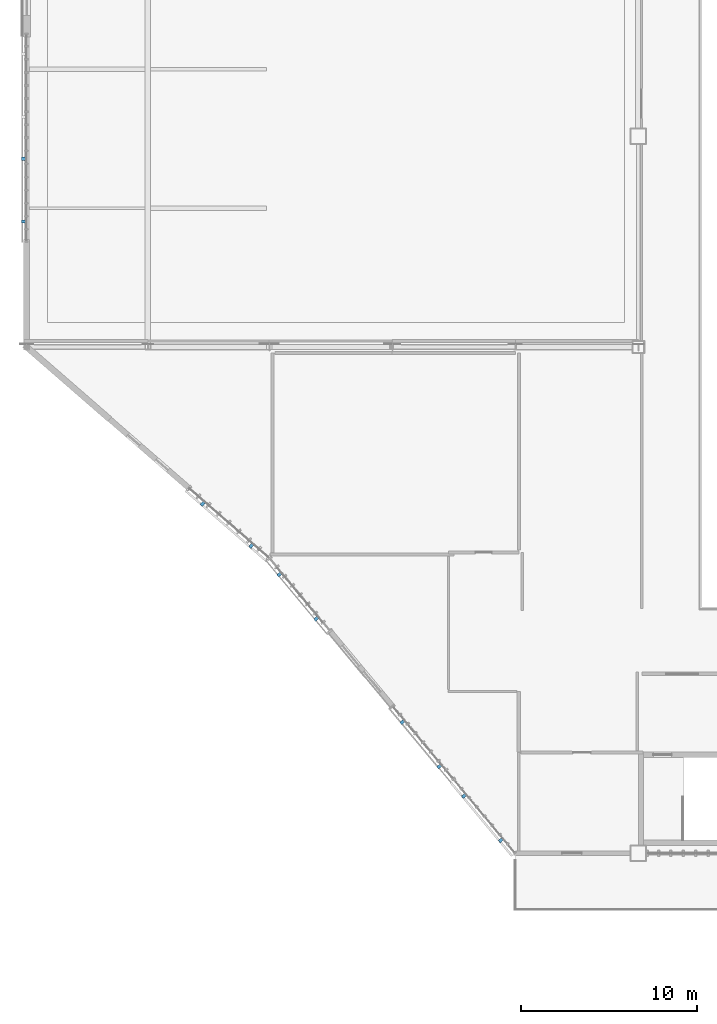
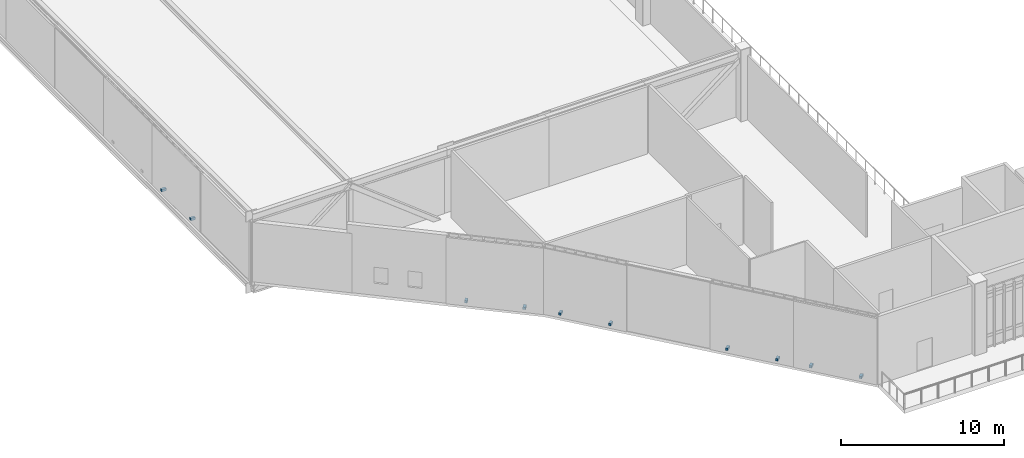
# One storey, part 123 of 135: 10 discrete accessories.
"""IFC4 building model written with IfcOpenShell, lengths in metres."""

import ifcopenshell
import ifcopenshell.guid

model = None  # the IFC model being written
_history = None  # IfcOwnerHistory: only IFC2X3 demands one
_inside = {}  # id of a spatial element -> (the spatial element, [elements in it])
_under = {}  # id of a project, library or spatial element -> (it, [spatial elements below it])
_declared = {}  # id of a project -> (the project, [libraries it declares])
_typed = {}  # id of a type object -> (the type object, [elements of that type])
_made_of = {}  # id of a material, layer set ... -> (it, [elements and type objects made of it])


def new_model(schema):
    """Start an empty IFC model of exactly this schema.

    Asked for "IFC4X3", IfcOpenShell would pick the latest addendum, in which some entities
    have other attributes; the version numbers below select the first issue.
    IFC2X3 requires an IfcOwnerHistory on every rooted entity: one is made here for all.
    """
    global model, _history
    if schema == "IFC4X3":
        model = ifcopenshell.file(schema_version=(4, 3, 0, 0))
    else:
        model = ifcopenshell.file(schema=schema)
    _inside.clear()
    _under.clear()
    _declared.clear()
    _typed.clear()
    _made_of.clear()
    _history = None
    if model.schema == "IFC2X3":
        org = make("IfcOrganization", Name="unknown")
        user = make(
            "IfcPersonAndOrganization",
            ThePerson=make("IfcPerson", FamilyName="unknown"),
            TheOrganization=org,
        )
        app = make(
            "IfcApplication",
            ApplicationDeveloper=org,
            Version="unknown",
            ApplicationFullName="unknown",
            ApplicationIdentifier="unknown",
        )
        _history = make(
            "IfcOwnerHistory",
            OwningUser=user,
            OwningApplication=app,
            ChangeAction="ADDED",
            CreationDate=0,
        )
    return model


def make(cls, **values):
    """One entity of the class cls with the attributes given. An attribute that is None is left unset."""
    return model.create_entity(
        cls, **{name: value for name, value in values.items() if value is not None}
    )


def rooted(cls, **values):
    """An entity with a GlobalId (a new one), such as an element, a storey or a relation."""
    return make(cls, GlobalId=ifcopenshell.guid.new(), OwnerHistory=_history, **values)


def si_unit(unit_type, name, prefix=None):
    """IfcSIUnit, for example si_unit("LENGTHUNIT", "METRE", prefix="MILLI")."""
    return make("IfcSIUnit", UnitType=unit_type, Prefix=prefix, Name=name)


def assignment(units):
    """IfcUnitAssignment: the units of a project."""
    return None if units is None else make("IfcUnitAssignment", Units=units)


def point(xyz):
    """IfcCartesianPoint."""
    return None if xyz is None else make("IfcCartesianPoint", Coordinates=xyz)


def direction(xyz):
    """IfcDirection."""
    return None if xyz is None else make("IfcDirection", DirectionRatios=xyz)


def frame(location, z_axis=None, x_axis=None):
    """IfcAxis2Placement3D, a coordinate frame: its origin and axes. An axis left out is left unset."""
    return make(
        "IfcAxis2Placement3D",
        Location=point(location),
        Axis=direction(z_axis),
        RefDirection=direction(x_axis),
    )


def frame_2d(location, x_axis=None):
    """IfcAxis2Placement2D, a coordinate frame in the plane: its origin and x axis."""
    return make(
        "IfcAxis2Placement2D", Location=point(location), RefDirection=direction(x_axis)
    )


def origin():
    """The frame at (0, 0, 0) with its axes left unset."""
    return frame((0.0, 0.0, 0.0))


def origin_2d():
    """The frame at (0, 0) in the plane with its x axis left unset."""
    return frame_2d((0.0, 0.0))


def place(relative_to, where):
    """IfcLocalPlacement: puts the frame where relative to a parent placement (None: the world)."""
    return make(
        "IfcLocalPlacement", PlacementRelTo=relative_to, RelativePlacement=where
    )


def context(
    kind, dimensions, precision=None, world=None, true_north=None, identifier=None
):
    """IfcGeometricRepresentationContext, for example the 3D "Model" context."""
    return make(
        "IfcGeometricRepresentationContext",
        ContextIdentifier=identifier,
        ContextType=kind,
        CoordinateSpaceDimension=dimensions,
        Precision=precision,
        WorldCoordinateSystem=world,
        TrueNorth=true_north,
    )


def subcontext(parent, identifier, kind, view, scale=None):
    """IfcGeometricRepresentationSubContext, for example "Body" below "Model"."""
    return make(
        "IfcGeometricRepresentationSubContext",
        ContextIdentifier=identifier,
        ContextType=kind,
        ParentContext=parent,
        TargetScale=scale,
        TargetView=view,
    )


def project(units=None, contexts=None):
    """IfcProject with its units and contexts."""
    return rooted(
        "IfcProject",
        Name="project",
        RepresentationContexts=contexts,
        UnitsInContext=assignment(units),
    )


def spatial(cls, under=None, at=None, **own):
    """A site, building, storey or space (cls), placed at a placement, below another one or the project."""
    s = rooted(cls, ObjectPlacement=at, **own)
    if under is not None:
        _under.setdefault(under.id(), (under, []))[1].append(s)
    return s


def profile(cls, at=None, kind="AREA", **sizes):
    """A parametric profile (cls). Its sizes go by their IFC names, for example OverallWidth=200.0."""
    return make(cls, ProfileType=kind, Position=at, **sizes)


def rectangle(**sizes):
    """IfcRectangleProfileDef."""
    return profile("IfcRectangleProfileDef", **sizes)


def extrude(swept, where, along, depth):
    """IfcExtrudedAreaSolid: the profile swept, set in the frame where, extruded along a direction by depth."""
    return make(
        "IfcExtrudedAreaSolid",
        SweptArea=swept,
        Position=where,
        ExtrudedDirection=direction(along),
        Depth=depth,
    )


def shape(context_of_items, identifier, shape_type, items):
    """IfcShapeRepresentation: the items that make up one representation, for example the "Body"."""
    return make(
        "IfcShapeRepresentation",
        ContextOfItems=context_of_items,
        RepresentationIdentifier=identifier,
        RepresentationType=shape_type,
        Items=items,
    )


def material(Name=None, Category=None):
    """IfcMaterial."""
    return make("IfcMaterial", Name=Name, Category=Category)


def layer(
    of_material, thickness, ventilated=None, Name=None, Category=None, Priority=None
):
    """IfcMaterialLayer: one layer of a wall or slab, of a material (None: an air gap)."""
    return make(
        "IfcMaterialLayer",
        Material=of_material,
        LayerThickness=thickness,
        IsVentilated=ventilated,
        Name=Name,
        Category=Category,
        Priority=Priority,
    )


def layer_set(layers, Name=None):
    """IfcMaterialLayerSet."""
    return make("IfcMaterialLayerSet", MaterialLayers=layers, LayerSetName=Name)


def made_of(thing, what):
    """Note that an element or type object is made of a material, layer set ...; save() writes the relation."""
    if what is not None:
        _made_of.setdefault(what.id(), (what, []))[1].append(thing)
    return thing


def type_object(cls, material=None, **own):
    """A type object (cls), such as IfcWallType, which elements share."""
    return made_of(rooted(cls, **own), material)


def element(
    cls,
    number,
    at=None,
    inside=None,
    cuts=None,
    type_object=None,
    material=None,
    context=None,
    identifier="Body",
    shape_type=None,
    held_by="IfcProductDefinitionShape",
    body=None,
    shapes=None,
    **own,
):
    """One element of the class cls, such as IfcWall. Its Tag is "e" and its number.

    at: its placement. inside: the storey or other place that contains it. cuts: it is an
    opening in that element (IfcRelVoidsElement). A single representation is given by context,
    identifier, shape_type and body (its items); several are given by shapes. held_by: the class
    of the entity that holds the representations. save() writes the other relations.
    """
    e = rooted(cls, Tag="e%d" % number, ObjectPlacement=at, **own)
    if body is not None:
        shapes = [shape(context, identifier, shape_type, body)]
    if shapes is not None:
        e.Representation = make(held_by, Representations=shapes)
    if inside is not None:
        _inside.setdefault(inside.id(), (inside, []))[1].append(e)
    if cuts is not None:
        rooted(
            "IfcRelVoidsElement", RelatingBuildingElement=cuts, RelatedOpeningElement=e
        )
    if type_object is not None:
        _typed.setdefault(type_object.id(), (type_object, []))[1].append(e)
    return made_of(e, material)


def aggregate(whole, parts):
    """IfcRelAggregates: a whole, such as a stair, and the parts it consists of."""
    return rooted("IfcRelAggregates", RelatingObject=whole, RelatedObjects=parts)


def save(model, path):
    """Write the relations noted so far, then the file.

    IfcRelAggregates (storeys below a building ...), IfcRelContainedInSpatialStructure (elements
    in a storey), IfcRelDefinesByType, IfcRelAssociatesMaterial and IfcRelDeclares: one each for
    every whole, place, type object, material and project.
    """
    for whole, parts in _under.values():
        aggregate(whole, parts)
    for where, things in _inside.values():
        rooted(
            "IfcRelContainedInSpatialStructure",
            RelatedElements=things,
            RelatingStructure=where,
        )
    for kind, things in _typed.values():
        rooted("IfcRelDefinesByType", RelatedObjects=things, RelatingType=kind)
    for what, things in _made_of.values():
        rooted("IfcRelAssociatesMaterial", RelatedObjects=things, RelatingMaterial=what)
    for by, libraries in _declared.values():
        rooted("IfcRelDeclares", RelatingContext=by, RelatedDefinitions=libraries)
    model.write(path)


model = new_model("IFC4")

# Units and contexts
model_context = context("Model", 3, precision=1e-05, world=origin(), true_north=direction((0.0, 1.0)))
body_context = subcontext(model_context, "Body", "Model", "MODEL_VIEW")
ifc_project = project(units=[si_unit("LENGTHUNIT", "METRE"), si_unit("AREAUNIT", "SQUARE_METRE"), si_unit("VOLUMEUNIT", "CUBIC_METRE"), si_unit("PLANEANGLEUNIT", "RADIAN"), si_unit("MASSUNIT", "GRAM", prefix="KILO")], contexts=[model_context])

# Site, building, storey
site_placement = place(None, origin())
site = spatial("IfcSite", under=ifc_project, at=site_placement, CompositionType="ELEMENT")
building_placement = place(site_placement, origin())
building = spatial("IfcBuilding", under=site, at=building_placement, Name="Larkvane Passage Sports Hall", CompositionType="ELEMENT")
storey_placement = place(building_placement, frame((0.0, 0.0, 16.800048828125)))
storey = spatial("IfcBuildingStorey", under=building, at=storey_placement, Name="L03", CompositionType="ELEMENT", Elevation=16.800048828125)

# Discrete accessories
ifc_material = material(Name="Steel S355JR", Category="steel")
ifc_layer = layer(ifc_material, 0.179931640625)
ifc_layer_set = layer_set([ifc_layer], Name="Steel S355JR")
discrete_accessory_type = type_object("IfcDiscreteAccessoryType", Name="ACC-BRACKET-STL", PredefinedType="BRACKET", material=ifc_layer_set)
for number, where, z_axis, x_axis, name in (
    (1, (27.0078125, 23.563232421875, 0.259765625), (0.0, 0.0, 1.0), (-0.640184399661, 0.7682212796, 0.0), "Veil outrigger bracket L03-090-1"),
    (2, (24.90771484375, 26.083251953125, 0.259765625), (0.0, 0.0, 1.0), (-0.640184399661, 0.7682212796, 0.0), "Veil outrigger bracket L03-090-2"),
    (3, (23.5078125, 27.76318359375, 0.259765625), (0.0, 0.0, 1.0), (-0.640184399661, 0.7682212796, 0.0), "Veil outrigger bracket L03-091-1"),
    (4, (21.40771484375, 30.283203125, 0.259765625), (0.0, 0.0, 1.0), (-0.640184399661, 0.7682212796, 0.0), "Veil outrigger bracket L03-091-2"),
    (5, (16.5078125, 36.1630859375, 0.259765625), (0.0, 0.0, 1.0), (-0.640184399661, 0.7682212796, 0.0), "Veil outrigger bracket L03-092-1"),
    (6, (14.40771484375, 38.68310546875, 0.259765625), (0.0, 0.0, 1.0), (-0.640184399661, 0.7682212796, 0.0), "Veil outrigger bracket L03-092-2"),
    (7, (12.80126953125, 40.309326171875, 0.259765625), (0.0, 0.0, 1.0), (-0.754605522159, 0.65617871493, 0.0), "Veil outrigger bracket L03-093-1"),
    (8, (10.041259765625, 42.70947265625, 0.259765625), (0.0, 0.0, 1.0), (-0.754605522159, 0.65617871493, 0.0), "Veil outrigger bracket L03-093-2"),
    (9, (-0.1201171875, 58.739990234375, 0.259765625), (0.0, 0.0, 1.0), (0.0, 1.0, 0.0), "Veil outrigger bracket L03-094-1"),
    (10, (-0.1201171875, 62.31005859375, 0.259765625), (0.0, 0.0, 1.0), (0.0, 1.0, 0.0), "Veil outrigger bracket L03-094-2"),
):
    element("IfcDiscreteAccessory", number, at=place(storey_placement, frame(where, z_axis=z_axis, x_axis=x_axis)), inside=storey, type_object=discrete_accessory_type, Name=name, PredefinedType="BRACKET", context=body_context, shape_type="SweptSolid", body=[
        extrude(rectangle(XDim=0.179931640625, YDim=0.320068359375, at=origin_2d()), origin(), (0.0, 0.0, 1.0), 0.179931640625),
    ])

save(model, "model.ifc")
